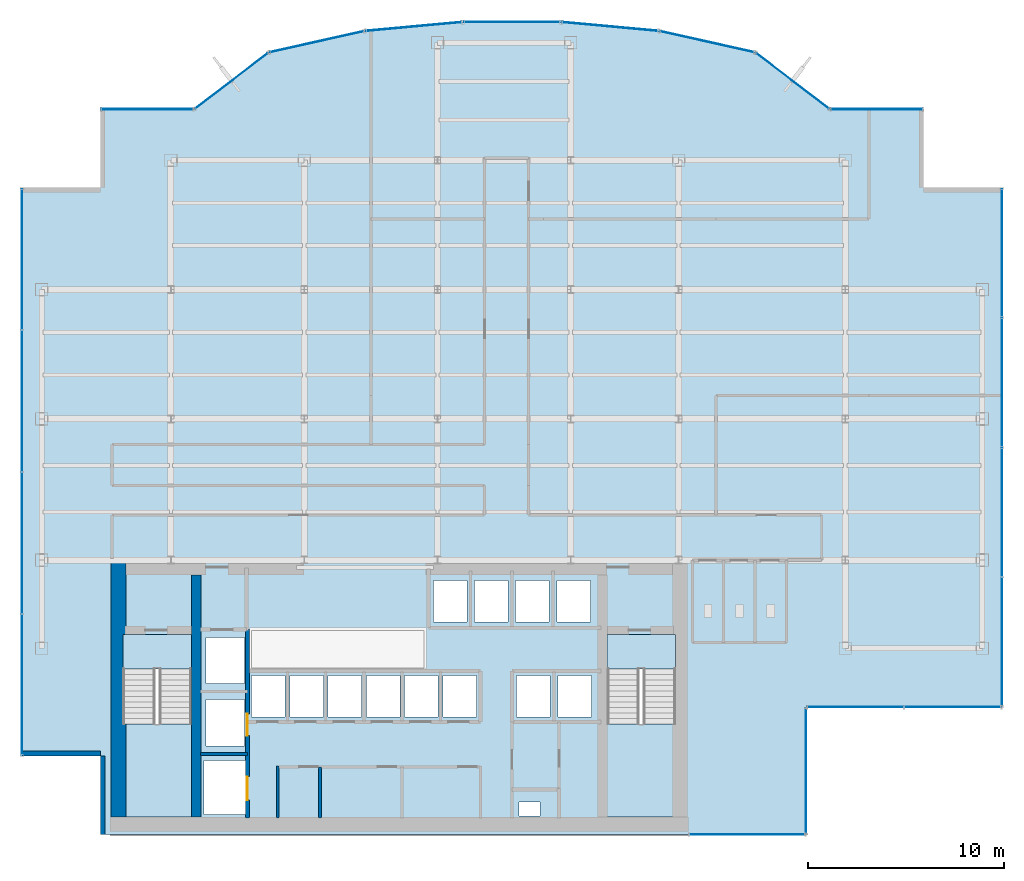
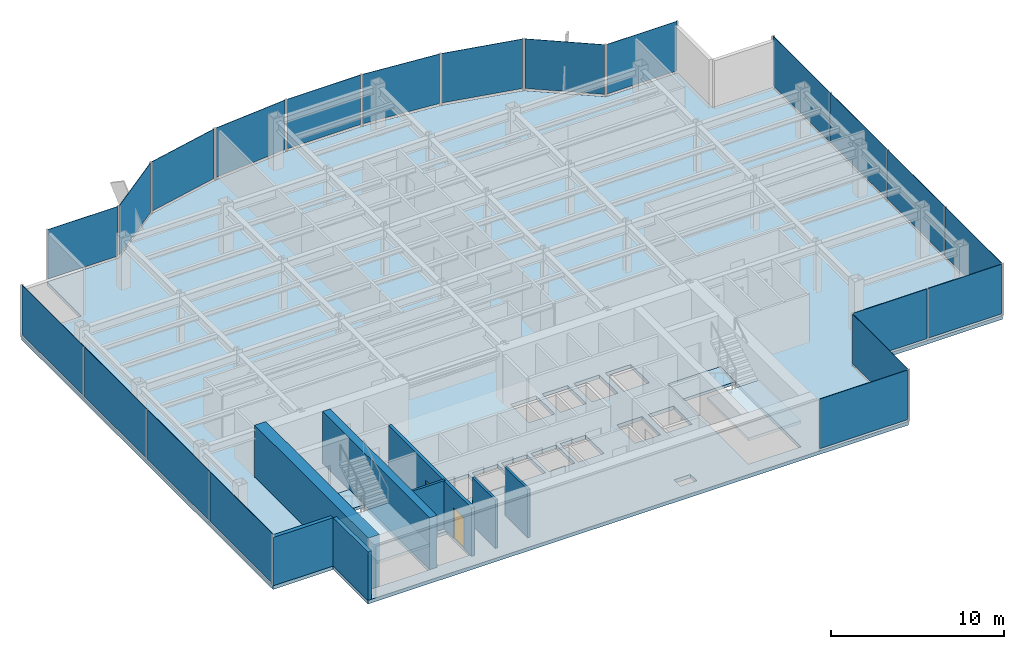
# One storey, part 19 of 25: 21 plates, 8 walls, 5 slabs, 2 doors, 2 openings, 16 elements without a shape of their own.
"""IFC4 building model written with IfcOpenShell, lengths in metres."""

from ifc_helpers import new_model, si_unit, derived_unit, direction, frame, frame_2d, origin, origin_2d, place, context, subcontext, project, spatial, polyline, rectangle, outline, extrude, source, transform, mapped, material, layer, layer_set, type_object, element, fill, aggregate, save


model = new_model("IFC4")

# Units and contexts
model_context = context("Model", 3, precision=1e-05, world=origin(), true_north=direction((0.0, 1.0)))
body_context = subcontext(model_context, "Body", "Model", "MODEL_VIEW")
ifc_project = project(units=[si_unit("LENGTHUNIT", "METRE"), si_unit("AREAUNIT", "SQUARE_METRE"), si_unit("VOLUMEUNIT", "CUBIC_METRE"), si_unit("PLANEANGLEUNIT", "RADIAN"), si_unit("MASSUNIT", "GRAM", prefix="KILO"), derived_unit("THERMALTRANSMITTANCEUNIT", [(si_unit("POWERUNIT", "WATT"), 1), (si_unit("LENGTHUNIT", "METRE"), -2), (si_unit("THERMODYNAMICTEMPERATUREUNIT", "KELVIN"), -1)])], contexts=[model_context])

# Site, building, storey
site_placement = place(None, origin())
site = spatial("IfcSite", under=ifc_project, at=site_placement, CompositionType="ELEMENT")
building_placement = place(site_placement, origin())
building = spatial("IfcBuilding", under=site, at=building_placement, Name="Skarnbrae Concourse Arena and Tower", CompositionType="ELEMENT")
storey_placement = place(building_placement, frame((0.0, 0.0, 162.5)))
storey = spatial("IfcBuildingStorey", under=building, at=storey_placement, Name="L41", CompositionType="ELEMENT", Elevation=162.5)

# Stair, slab
ifc_material_1 = material(Name="Concrete 40 MPa (C40/50)", Category="concrete")
stair_type = type_object("IfcStairType", Name="STAIR-DOGLEG-1650", PredefinedType="HALF_TURN_STAIR", material=ifc_material_1)
stair_1_placement = place(storey_placement, origin())
stair_1 = element("IfcStair", 1, at=stair_1_placement, inside=storey, type_object=stair_type, Name="L41 Protected Exit Stair ST-1", PredefinedType="HALF_TURN_STAIR")
ifc_layer_1 = layer(ifc_material_1, 0.199951171875)
ifc_layer_set_1 = layer_set([ifc_layer_1], Name="Concrete 40 MPa (C40/50)")
slab_type_1 = type_object("IfcSlabType", Name="SLAB-LANDING-200", PredefinedType="LANDING", material=ifc_layer_set_1)
slab_1_placement = place(storey_placement, frame((0.0, 0.0, 1.625)))
slab_1 = element("IfcSlab", 2, at=slab_1_placement, type_object=slab_type_1, Name="ST-1 landing 1", PredefinedType="LANDING", context=body_context, shape_type="SweptSolid", body=[
    extrude(outline(polyline([(5.14990234375, 5.64990234375), (5.14990234375, 0.89990234375), (8.64990234375, 0.89990234375), (8.64990234375, 5.64990234375), (5.14990234375, 5.64990234375)])), origin(), (0.0, 0.0, 1.0), 0.199951171875),
])
aggregate(stair_1, [slab_1])

stair_2_placement = place(storey_placement, origin())
stair_2 = element("IfcStair", 3, at=stair_2_placement, inside=storey, type_object=stair_type, Name="L41 Protected Exit Stair ST-2", PredefinedType="HALF_TURN_STAIR")
slab_2_placement = place(storey_placement, frame((0.0, 0.0, 1.625)))
slab_2 = element("IfcSlab", 4, at=slab_2_placement, type_object=slab_type_1, Name="ST-2 landing 1", PredefinedType="LANDING", context=body_context, shape_type="SweptSolid", body=[
    extrude(outline(polyline([(29.85009765625, 5.64990234375), (29.85009765625, 0.89990234375), (33.35009765625, 0.89990234375), (33.35009765625, 5.64990234375), (29.85009765625, 5.64990234375)])), origin(), (0.0, 0.0, 1.0), 0.199951171875),
])
aggregate(stair_2, [slab_2])

# Slabs
slab_3_placement = place(storey_placement, frame((0.0, 0.0, -0.199951171875)))
element("IfcSlab", 5, at=slab_3_placement, inside=storey, type_object=slab_type_1, Name="L41 Core stair ST1 floor landing", PredefinedType="LANDING", context=body_context, shape_type="SweptSolid", body=[
    extrude(outline(polyline([(5.14990234375, 10.199951171875), (5.14990234375, 8.449951171875), (8.64990234375, 8.449951171875), (8.64990234375, 10.199951171875), (5.14990234375, 10.199951171875)])), origin(), (0.0, 0.0, 1.0), 0.199951171875),
])
slab_4_placement = place(storey_placement, frame((0.0, 0.0, -0.199951171875)))
element("IfcSlab", 6, at=slab_4_placement, inside=storey, type_object=slab_type_1, Name="L41 Core stair ST2 floor landing", PredefinedType="LANDING", context=body_context, shape_type="SweptSolid", body=[
    extrude(outline(polyline([(29.85009765625, 10.199951171875), (29.85009765625, 8.449951171875), (33.35009765625, 8.449951171875), (33.35009765625, 10.199951171875), (29.85009765625, 10.199951171875)])), origin(), (0.0, 0.0, 1.0), 0.199951171875),
])
ifc_layer_2 = layer(ifc_material_1, 0.25)
ifc_layer_set_2 = layer_set([ifc_layer_2], Name="Concrete 40 MPa (C40/50)")
slab_type_2 = type_object("IfcSlabType", Name="SLAB-TOWER-250", PredefinedType="FLOOR", material=ifc_layer_set_2)
slab_5_placement = place(storey_placement, frame((0.0, 0.0, -0.25)))
element("IfcSlab", 7, at=slab_5_placement, inside=storey, type_object=slab_type_2, Name="L41 Structural floor slab", PredefinedType="FLOOR", context=body_context, shape_type="SweptSolid", body=[
    extrude(outline(polyline([(4.0, 0.0), (40.0, 0.0), (40.0, 6.5), (50.0, 6.5), (50.0, 33.0), (46.0, 33.0), (46.0, 37.0), (41.199951171875, 37.0), (37.409423828125, 39.892578125), (32.51220703125, 40.98681640625), (27.51123046875, 41.445556640625), (22.48876953125, 41.445556640625), (17.48779296875, 40.98681640625), (12.590576171875, 39.892578125), (8.800048828125, 37.0), (4.0, 37.0), (4.0, 33.0), (0.0, 33.0), (0.0, 4.0), (4.0, 4.0), (4.0, 0.0)]), holes=[polyline([(9.294921875, 3.780029296875), (11.455078125, 3.780029296875), (11.455078125, 1.02001953125), (9.294921875, 1.02001953125), (9.294921875, 3.780029296875)]), polyline([(8.64990234375, 10.199951171875), (8.64990234375, 0.89990234375), (5.14990234375, 0.89990234375), (5.14990234375, 10.199951171875), (8.64990234375, 10.199951171875)]), polyline([(9.39501953125, 6.8798828125), (11.35498046875, 6.8798828125), (11.35498046875, 4.52001953125), (9.39501953125, 4.52001953125), (9.39501953125, 6.8798828125)]), polyline([(11.719970703125, 8.10498046875), (13.429931640625, 8.10498046875), (13.429931640625, 5.9951171875), (11.719970703125, 5.9951171875), (11.719970703125, 8.10498046875)]), polyline([(13.669921875, 8.10498046875), (15.3798828125, 8.10498046875), (15.3798828125, 5.9951171875), (13.669921875, 5.9951171875), (13.669921875, 8.10498046875)]), polyline([(15.6201171875, 8.10498046875), (17.330078125, 8.10498046875), (17.330078125, 5.9951171875), (15.6201171875, 5.9951171875), (15.6201171875, 8.10498046875)]), polyline([(17.570068359375, 8.10498046875), (19.280029296875, 8.10498046875), (19.280029296875, 5.9951171875), (17.570068359375, 5.9951171875), (17.570068359375, 8.10498046875)]), polyline([(21.22998046875, 8.10498046875), (21.22998046875, 5.9951171875), (19.52001953125, 5.9951171875), (19.52001953125, 8.10498046875), (21.22998046875, 8.10498046875)]), polyline([(11.35498046875, 10.054931640625), (11.35498046875, 7.695068359375), (9.39501953125, 7.695068359375), (9.39501953125, 10.054931640625), (11.35498046875, 10.054931640625)]), polyline([(25.35009765625, 1.669921875), (26.43994140625, 1.669921875), (26.43994140625, 0.949951171875), (25.35009765625, 0.949951171875), (25.35009765625, 1.669921875)]), polyline([(33.35009765625, 10.199951171875), (33.35009765625, 0.89990234375), (29.85009765625, 0.89990234375), (29.85009765625, 10.199951171875), (33.35009765625, 10.199951171875)]), polyline([(21.469970703125, 8.10498046875), (23.179931640625, 8.10498046875), (23.179931640625, 5.9951171875), (21.469970703125, 5.9951171875), (21.469970703125, 8.10498046875)]), polyline([(25.235107421875, 8.10498046875), (26.945068359375, 8.10498046875), (26.945068359375, 5.9951171875), (25.235107421875, 5.9951171875), (25.235107421875, 8.10498046875)]), polyline([(27.3349609375, 8.10498046875), (29.044921875, 8.10498046875), (29.044921875, 5.9951171875), (27.3349609375, 5.9951171875), (27.3349609375, 8.10498046875)]), polyline([(20.985107421875, 12.955078125), (22.695068359375, 12.955078125), (22.695068359375, 10.844970703125), (20.985107421875, 10.844970703125), (20.985107421875, 12.955078125)]), polyline([(23.0849609375, 12.955078125), (24.794921875, 12.955078125), (24.794921875, 10.844970703125), (23.0849609375, 10.844970703125), (23.0849609375, 12.955078125)]), polyline([(26.89501953125, 12.955078125), (26.89501953125, 10.844970703125), (25.18505859375, 10.844970703125), (25.18505859375, 12.955078125), (26.89501953125, 12.955078125)]), polyline([(28.9951171875, 12.955078125), (28.9951171875, 10.844970703125), (27.284912109375, 10.844970703125), (27.284912109375, 12.955078125), (28.9951171875, 12.955078125)])]), origin(), (0.0, 0.0, 1.0), 0.25),
])

# Curtain wall, plates
ifc_material_2 = material(Name="Bronze anodised aluminium 6063-T6", Category="aluminium")
curtain_wall_type_1 = type_object("IfcCurtainWallType", Name="CW-SYS-04-MIDZONE", PredefinedType="USERDEFINED", material=ifc_material_2)
curtain_wall_1_placement = place(storey_placement, origin())
curtain_wall_1 = element("IfcCurtainWall", 8, at=curtain_wall_1_placement, inside=storey, type_object=curtain_wall_type_1, Name="L41 Unitised curtain wall CW-L41-E03", ObjectType="UNITISED CURTAIN WALL", PredefinedType="USERDEFINED")
ifc_material_3 = material(Name="Low-E triple insulating glass", Category="glass")
ifc_layer_3 = layer(ifc_material_3, 0.031982421875)
ifc_layer_set_3 = layer_set([ifc_layer_3], Name="Low-E triple insulating glass")
plate_type_1 = type_object("IfcPlateType", Name="CWP-CW-04", PredefinedType="CURTAIN_PANEL", material=ifc_layer_set_3)
shared_shape_1 = source(origin(), body_context, "Body", "SweptSolid", [
    extrude(rectangle(XDim=4.887451171875, YDim=0.031982421875, at=origin_2d()), origin(), (0.0, 0.0, 1.0), 3.489990234375),
])
plate_1_placement = place(storey_placement, frame((42.518798828125, 6.5, 0.16015625), z_axis=(0.0, 0.0, 1.0), x_axis=(1.0, 0.0, 0.0)))
plate_1 = element("IfcPlate", 9, at=plate_1_placement, type_object=plate_type_1, Name="CW-L41-E03 Low-E Glazing Panel 1", PredefinedType="CURTAIN_PANEL", context=body_context, shape_type="MappedRepresentation", body=[
    mapped(shared_shape_1, transform((0.0, 0.0, 0.0))),
])
plate_2_placement = place(storey_placement, frame((47.481201171875, 6.5, 0.16015625), z_axis=(0.0, 0.0, 1.0), x_axis=(1.0, 0.0, 0.0)))
plate_2 = element("IfcPlate", 10, at=plate_2_placement, type_object=plate_type_1, Name="CW-L41-E03 Low-E Glazing Panel 2", PredefinedType="CURTAIN_PANEL", context=body_context, shape_type="MappedRepresentation", body=[
    mapped(shared_shape_1, transform((0.0, 0.0, 0.0))),
])
aggregate(curtain_wall_1, [plate_1, plate_2])

# Curtain wall, plate
curtain_wall_2_placement = place(storey_placement, origin())
curtain_wall_2 = element("IfcCurtainWall", 11, at=curtain_wall_2_placement, inside=storey, type_object=curtain_wall_type_1, Name="L41 Unitised curtain wall CW-L41-SE-SPINE", ObjectType="UNITISED CURTAIN WALL", PredefinedType="USERDEFINED")
shared_shape_2 = source(origin(), body_context, "Body", "SweptSolid", [
    extrude(rectangle(XDim=5.85009765625, YDim=0.031982421875, at=origin_2d()), origin(), (0.0, 0.0, 1.0), 3.489990234375),
])
plate_3_placement = place(storey_placement, frame((37.0, 0.0, 0.16015625), z_axis=(0.0, 0.0, 1.0), x_axis=(1.0, 0.0, 0.0)))
plate_3 = element("IfcPlate", 12, at=plate_3_placement, type_object=plate_type_1, Name="CW-L41-SE-SPINE Low-E Glazing Panel 1", PredefinedType="CURTAIN_PANEL", context=body_context, shape_type="MappedRepresentation", body=[
    mapped(shared_shape_2, transform((0.0, 0.0, 0.0))),
])
aggregate(curtain_wall_2, [plate_3])

curtain_wall_3_placement = place(storey_placement, origin())
curtain_wall_3 = element("IfcCurtainWall", 13, at=curtain_wall_3_placement, inside=storey, type_object=curtain_wall_type_1, Name="L41 Unitised curtain wall CW-L41-E02", ObjectType="UNITISED CURTAIN WALL", PredefinedType="USERDEFINED")
shared_shape_3 = source(origin(), body_context, "Body", "SweptSolid", [
    extrude(rectangle(XDim=6.35009765625, YDim=0.031982421875, at=origin_2d()), origin(), (0.0, 0.0, 1.0), 3.489990234375),
])
plate_4_placement = place(storey_placement, frame((40.0, 3.25, 0.16015625), z_axis=(0.0, 0.0, 1.0), x_axis=(0.0, 1.0, 0.0)))
plate_4 = element("IfcPlate", 14, at=plate_4_placement, type_object=plate_type_1, Name="CW-L41-E02 Low-E Glazing Panel 1", PredefinedType="CURTAIN_PANEL", context=body_context, shape_type="MappedRepresentation", body=[
    mapped(shared_shape_3, transform((0.0, 0.0, 0.0))),
])
aggregate(curtain_wall_3, [plate_4])

curtain_wall_4_placement = place(storey_placement, origin())
curtain_wall_4 = element("IfcCurtainWall", 15, at=curtain_wall_4_placement, inside=storey, type_object=curtain_wall_type_1, Name="L41 Unitised curtain wall CW-L41-E07", ObjectType="UNITISED CURTAIN WALL", PredefinedType="USERDEFINED")
shared_shape_4 = source(origin(), body_context, "Body", "SweptSolid", [
    extrude(rectangle(XDim=4.64990234375, YDim=0.031982421875, at=origin_2d()), origin(), (0.0, 0.0, 1.0), 3.489990234375),
])
plate_5_placement = place(storey_placement, frame((43.60009765625, 37.0, 0.16015625), z_axis=(0.0, 0.0, 1.0), x_axis=(-1.0, 0.0, 0.0)))
plate_5 = element("IfcPlate", 16, at=plate_5_placement, type_object=plate_type_1, Name="CW-L41-E07 Low-E Glazing Panel 1", PredefinedType="CURTAIN_PANEL", context=body_context, shape_type="MappedRepresentation", body=[
    mapped(shared_shape_4, transform((0.0, 0.0, 0.0))),
])
aggregate(curtain_wall_4, [plate_5])

curtain_wall_5_placement = place(storey_placement, origin())
curtain_wall_5 = element("IfcCurtainWall", 17, at=curtain_wall_5_placement, inside=storey, type_object=curtain_wall_type_1, Name="L41 Unitised curtain wall CW-L41-E15", ObjectType="UNITISED CURTAIN WALL", PredefinedType="USERDEFINED")
plate_6_placement = place(storey_placement, frame((6.39990234375, 37.0, 0.16015625), z_axis=(0.0, 0.0, 1.0), x_axis=(-1.0, 0.0, 0.0)))
plate_6 = element("IfcPlate", 18, at=plate_6_placement, type_object=plate_type_1, Name="CW-L41-E15 Low-E Glazing Panel 1", PredefinedType="CURTAIN_PANEL", context=body_context, shape_type="MappedRepresentation", body=[
    mapped(shared_shape_4, transform((0.0, 0.0, 0.0))),
])
aggregate(curtain_wall_5, [plate_6])

curtain_wall_6_placement = place(storey_placement, origin())
curtain_wall_6 = element("IfcCurtainWall", 19, at=curtain_wall_6_placement, inside=storey, type_object=curtain_wall_type_1, Name="L41 Unitised curtain wall CW-L41-E08", ObjectType="UNITISED CURTAIN WALL", PredefinedType="USERDEFINED")
shared_shape_5 = source(origin(), body_context, "Body", "SweptSolid", [
    extrude(rectangle(XDim=4.6181640625, YDim=0.031982421875, at=origin_2d()), origin(), (0.0, 0.0, 1.0), 3.489990234375),
])
plate_7_placement = place(storey_placement, frame((39.3046875, 38.4462890625, 0.16015625), z_axis=(0.0, 0.0, 1.0), x_axis=(-0.794956000706, 0.606667089054, 0.0)))
plate_7 = element("IfcPlate", 20, at=plate_7_placement, type_object=plate_type_1, Name="CW-L41-E08 Low-E Glazing Panel 1", PredefinedType="CURTAIN_PANEL", context=body_context, shape_type="MappedRepresentation", body=[
    mapped(shared_shape_5, transform((0.0, 0.0, 0.0))),
])
aggregate(curtain_wall_6, [plate_7])

curtain_wall_7_placement = place(storey_placement, origin())
curtain_wall_7 = element("IfcCurtainWall", 21, at=curtain_wall_7_placement, inside=storey, type_object=curtain_wall_type_1, Name="L41 Unitised curtain wall CW-L41-E14", ObjectType="UNITISED CURTAIN WALL", PredefinedType="USERDEFINED")
plate_8_placement = place(storey_placement, frame((10.6953125, 38.4462890625, 0.16015625), z_axis=(0.0, 0.0, 1.0), x_axis=(-0.794956000706, -0.606667089054, 0.0)))
plate_8 = element("IfcPlate", 22, at=plate_8_placement, type_object=plate_type_1, Name="CW-L41-E14 Low-E Glazing Panel 1", PredefinedType="CURTAIN_PANEL", context=body_context, shape_type="MappedRepresentation", body=[
    mapped(shared_shape_5, transform((0.0, 0.0, 0.0))),
])
aggregate(curtain_wall_7, [plate_8])

# Curtain wall, plates
curtain_wall_8_placement = place(storey_placement, origin())
curtain_wall_8 = element("IfcCurtainWall", 23, at=curtain_wall_8_placement, inside=storey, type_object=curtain_wall_type_1, Name="L41 Unitised curtain wall CW-L41-E18", ObjectType="UNITISED CURTAIN WALL", PredefinedType="USERDEFINED")
shared_shape_6 = source(origin(), body_context, "Body", "SweptSolid", [
    extrude(rectangle(XDim=7.137451171875, YDim=0.031982421875, at=origin_2d()), origin(), (0.0, 0.0, 1.0), 3.489990234375),
])
plate_9_placement = place(storey_placement, frame((0.0, 29.356201171875, 0.16015625), z_axis=(0.0, 0.0, 1.0), x_axis=(0.0, -1.0, 0.0)))
plate_9 = element("IfcPlate", 24, at=plate_9_placement, type_object=plate_type_1, Name="CW-L41-E18 Low-E Glazing Panel 1", PredefinedType="CURTAIN_PANEL", context=body_context, shape_type="MappedRepresentation", body=[
    mapped(shared_shape_6, transform((0.0, 0.0, 0.0))),
])
plate_10_placement = place(storey_placement, frame((0.0, 7.643798828125, 0.16015625), z_axis=(0.0, 0.0, 1.0), x_axis=(0.0, -1.0, 0.0)))
plate_10 = element("IfcPlate", 25, at=plate_10_placement, type_object=plate_type_1, Name="CW-L41-E18 Low-E Glazing Panel 4", PredefinedType="CURTAIN_PANEL", context=body_context, shape_type="MappedRepresentation", body=[
    mapped(shared_shape_6, transform((0.0, 0.0, 0.0))),
])
shared_shape_7 = source(origin(), body_context, "Body", "SweptSolid", [
    extrude(rectangle(XDim=7.175048828125, YDim=0.031982421875, at=origin_2d()), origin(), (0.0, 0.0, 1.0), 3.489990234375),
])
plate_11_placement = place(storey_placement, frame((0.0, 22.125, 0.16015625), z_axis=(0.0, 0.0, 1.0), x_axis=(0.0, -1.0, 0.0)))
plate_11 = element("IfcPlate", 26, at=plate_11_placement, type_object=plate_type_1, Name="CW-L41-E18 Low-E Glazing Panel 2", PredefinedType="CURTAIN_PANEL", context=body_context, shape_type="MappedRepresentation", body=[
    mapped(shared_shape_7, transform((0.0, 0.0, 0.0))),
])
plate_12_placement = place(storey_placement, frame((0.0, 14.875, 0.16015625), z_axis=(0.0, 0.0, 1.0), x_axis=(0.0, -1.0, 0.0)))
plate_12 = element("IfcPlate", 27, at=plate_12_placement, type_object=plate_type_1, Name="CW-L41-E18 Low-E Glazing Panel 3", PredefinedType="CURTAIN_PANEL", context=body_context, shape_type="MappedRepresentation", body=[
    mapped(shared_shape_7, transform((0.0, 0.0, 0.0))),
])
aggregate(curtain_wall_8, [plate_9, plate_11, plate_12, plate_10])

curtain_wall_9_placement = place(storey_placement, origin())
curtain_wall_9 = element("IfcCurtainWall", 28, at=curtain_wall_9_placement, inside=storey, type_object=curtain_wall_type_1, Name="L41 Unitised curtain wall CW-L41-E04", ObjectType="UNITISED CURTAIN WALL", PredefinedType="USERDEFINED")
shared_shape_8 = source(origin(), body_context, "Body", "SweptSolid", [
    extrude(rectangle(XDim=6.512451171875, YDim=0.031982421875, at=origin_2d()), origin(), (0.0, 0.0, 1.0), 3.489990234375),
])
plate_13_placement = place(storey_placement, frame((50.0, 9.831298828125, 0.16015625), z_axis=(0.0, 0.0, 1.0), x_axis=(0.0, 1.0, 0.0)))
plate_13 = element("IfcPlate", 29, at=plate_13_placement, type_object=plate_type_1, Name="CW-L41-E04 Low-E Glazing Panel 1", PredefinedType="CURTAIN_PANEL", context=body_context, shape_type="MappedRepresentation", body=[
    mapped(shared_shape_8, transform((0.0, 0.0, 0.0))),
])
plate_14_placement = place(storey_placement, frame((50.0, 29.668701171875, 0.16015625), z_axis=(0.0, 0.0, 1.0), x_axis=(0.0, 1.0, 0.0)))
plate_14 = element("IfcPlate", 30, at=plate_14_placement, type_object=plate_type_1, Name="CW-L41-E04 Low-E Glazing Panel 4", PredefinedType="CURTAIN_PANEL", context=body_context, shape_type="MappedRepresentation", body=[
    mapped(shared_shape_8, transform((0.0, 0.0, 0.0))),
])
shared_shape_9 = source(origin(), body_context, "Body", "SweptSolid", [
    extrude(rectangle(XDim=6.550048828125, YDim=0.031982421875, at=origin_2d()), origin(), (0.0, 0.0, 1.0), 3.489990234375),
])
plate_15_placement = place(storey_placement, frame((50.0, 16.4375, 0.16015625), z_axis=(0.0, 0.0, 1.0), x_axis=(0.0, 1.0, 0.0)))
plate_15 = element("IfcPlate", 31, at=plate_15_placement, type_object=plate_type_1, Name="CW-L41-E04 Low-E Glazing Panel 2", PredefinedType="CURTAIN_PANEL", context=body_context, shape_type="MappedRepresentation", body=[
    mapped(shared_shape_9, transform((0.0, 0.0, 0.0))),
])
plate_16_placement = place(storey_placement, frame((50.0, 23.0625, 0.16015625), z_axis=(0.0, 0.0, 1.0), x_axis=(0.0, 1.0, 0.0)))
plate_16 = element("IfcPlate", 32, at=plate_16_placement, type_object=plate_type_1, Name="CW-L41-E04 Low-E Glazing Panel 3", PredefinedType="CURTAIN_PANEL", context=body_context, shape_type="MappedRepresentation", body=[
    mapped(shared_shape_9, transform((0.0, 0.0, 0.0))),
])
aggregate(curtain_wall_9, [plate_13, plate_15, plate_16, plate_14])

# Curtain wall, plate
curtain_wall_type_2 = type_object("IfcCurtainWallType", Name="CW-SYS-03-PORTAL", PredefinedType="USERDEFINED", material=ifc_material_2)
curtain_wall_10_placement = place(storey_placement, origin())
curtain_wall_10 = element("IfcCurtainWall", 33, at=curtain_wall_10_placement, inside=storey, type_object=curtain_wall_type_2, Name="L41 Unitised curtain wall CW-L41-E09", ObjectType="UNITISED CURTAIN WALL", PredefinedType="USERDEFINED")
ifc_layer_4 = layer(ifc_material_3, 0.033935546875)
ifc_layer_set_4 = layer_set([ifc_layer_4], Name="Low-E triple insulating glass")
plate_type_2 = type_object("IfcPlateType", Name="CWP-CW-03", PredefinedType="CURTAIN_PANEL", material=ifc_layer_set_4)
shared_shape_10 = source(origin(), body_context, "Body", "SweptSolid", [
    extrude(rectangle(XDim=4.85791015625, YDim=0.033935546875, at=origin_2d()), origin(), (0.0, 0.0, 1.0), 3.47998046875),
])
plate_17_placement = place(storey_placement, frame((34.9609375, 40.439697265625, 0.169921875), z_axis=(0.0, 0.0, 1.0), x_axis=(-0.975936175393, 0.218056372433, 0.0)))
plate_17 = element("IfcPlate", 34, at=plate_17_placement, type_object=plate_type_2, Name="CW-L41-E09 Low-E Glazing Panel 1", PredefinedType="CURTAIN_PANEL", context=body_context, shape_type="MappedRepresentation", body=[
    mapped(shared_shape_10, transform((0.0, 0.0, 0.0))),
])
aggregate(curtain_wall_10, [plate_17])

curtain_wall_11_placement = place(storey_placement, origin())
curtain_wall_11 = element("IfcCurtainWall", 35, at=curtain_wall_11_placement, inside=storey, type_object=curtain_wall_type_2, Name="L41 Unitised curtain wall CW-L41-E13", ObjectType="UNITISED CURTAIN WALL", PredefinedType="USERDEFINED")
plate_18_placement = place(storey_placement, frame((15.0390625, 40.439697265625, 0.169921875), z_axis=(0.0, 0.0, 1.0), x_axis=(-0.975936175393, -0.218056372433, 0.0)))
plate_18 = element("IfcPlate", 36, at=plate_18_placement, type_object=plate_type_2, Name="CW-L41-E13 Low-E Glazing Panel 1", PredefinedType="CURTAIN_PANEL", context=body_context, shape_type="MappedRepresentation", body=[
    mapped(shared_shape_10, transform((0.0, 0.0, 0.0))),
])
aggregate(curtain_wall_11, [plate_18])

curtain_wall_12_placement = place(storey_placement, origin())
curtain_wall_12 = element("IfcCurtainWall", 37, at=curtain_wall_12_placement, inside=storey, type_object=curtain_wall_type_2, Name="L41 Unitised curtain wall CW-L41-E10", ObjectType="UNITISED CURTAIN WALL", PredefinedType="USERDEFINED")
shared_shape_11 = source(origin(), body_context, "Body", "SweptSolid", [
    extrude(rectangle(XDim=4.862060546875, YDim=0.033935546875, at=origin_2d()), origin(), (0.0, 0.0, 1.0), 3.47998046875),
])
plate_19_placement = place(storey_placement, frame((30.01171875, 41.21630859375, 0.169921875), z_axis=(0.0, 0.0, 1.0), x_axis=(-0.995819926016, 0.091338244731, 0.0)))
plate_19 = element("IfcPlate", 38, at=plate_19_placement, type_object=plate_type_2, Name="CW-L41-E10 Low-E Glazing Panel 1", PredefinedType="CURTAIN_PANEL", context=body_context, shape_type="MappedRepresentation", body=[
    mapped(shared_shape_11, transform((0.0, 0.0, 0.0))),
])
aggregate(curtain_wall_12, [plate_19])

curtain_wall_13_placement = place(storey_placement, origin())
curtain_wall_13 = element("IfcCurtainWall", 39, at=curtain_wall_13_placement, inside=storey, type_object=curtain_wall_type_2, Name="L41 Unitised curtain wall CW-L41-E12", ObjectType="UNITISED CURTAIN WALL", PredefinedType="USERDEFINED")
plate_20_placement = place(storey_placement, frame((19.98828125, 41.21630859375, 0.169921875), z_axis=(0.0, 0.0, 1.0), x_axis=(-0.995819926016, -0.091338244731, 0.0)))
plate_20 = element("IfcPlate", 40, at=plate_20_placement, type_object=plate_type_2, Name="CW-L41-E12 Low-E Glazing Panel 1", PredefinedType="CURTAIN_PANEL", context=body_context, shape_type="MappedRepresentation", body=[
    mapped(shared_shape_11, transform((0.0, 0.0, 0.0))),
])
aggregate(curtain_wall_13, [plate_20])

curtain_wall_14_placement = place(storey_placement, origin())
curtain_wall_14 = element("IfcCurtainWall", 41, at=curtain_wall_14_placement, inside=storey, type_object=curtain_wall_type_2, Name="L41 Unitised curtain wall CW-L41-E11", ObjectType="UNITISED CURTAIN WALL", PredefinedType="USERDEFINED")
shared_shape_12 = source(origin(), body_context, "Body", "SweptSolid", [
    extrude(rectangle(XDim=4.862548828125, YDim=0.033935546875, at=origin_2d()), origin(), (0.0, 0.0, 1.0), 3.47998046875),
])
plate_21_placement = place(storey_placement, frame((25.0, 41.445556640625, 0.169921875), z_axis=(0.0, 0.0, 1.0), x_axis=(-1.0, 0.0, 0.0)))
plate_21 = element("IfcPlate", 42, at=plate_21_placement, type_object=plate_type_2, Name="CW-L41-E11 Low-E Glazing Panel 1", PredefinedType="CURTAIN_PANEL", context=body_context, shape_type="MappedRepresentation", body=[
    mapped(shared_shape_12, transform((0.0, 0.0, 0.0))),
])
aggregate(curtain_wall_14, [plate_21])

# Walls
ifc_material_4 = material(Name="Concrete 60 MPa (C60/75)", Category="concrete")
ifc_layer_5 = layer(ifc_material_4, 0.75)
ifc_layer_set_5 = layer_set([ifc_layer_5], Name="Concrete 60 MPa (C60/75)")
wall_type_1 = type_object("IfcWallType", Name="WALL-CORE-750-C60", PredefinedType="SHEAR", material=ifc_layer_set_5)
shared_shape_13 = source(origin(), body_context, "Body", "SweptSolid", [
    extrude(rectangle(XDim=13.10009765625, YDim=0.75, at=frame_2d((6.550048828125, 0.0))), origin(), (0.0, 0.0, 1.0), 3.64990234375),
])
wall_1_placement = place(storey_placement, frame((4.925048828125, 0.89990234375, 0.0), z_axis=(0.0, 0.0, 1.0), x_axis=(0.0, 1.0, 0.0)))
element("IfcWall", 43, at=wall_1_placement, inside=storey, type_object=wall_type_1, Name="L41 Rear core shear wall CW-W", PredefinedType="SHEAR", context=body_context, shape_type="MappedRepresentation", body=[
    mapped(shared_shape_13, transform((0.0, 0.0, 0.0))),
])
ifc_layer_6 = layer(ifc_material_4, 0.5)
ifc_layer_set_6 = layer_set([ifc_layer_6], Name="Concrete 60 MPa (C60/75)")
wall_type_2 = type_object("IfcWallType", Name="WALL-CORE-500-C60", PredefinedType="SHEAR", material=ifc_layer_set_6)
shared_shape_14 = source(origin(), body_context, "Body", "SweptSolid", [
    extrude(rectangle(XDim=12.35009765625, YDim=0.5, at=frame_2d((6.175048828125, 0.0))), origin(), (0.0, 0.0, 1.0), 3.64990234375),
])
wall_2_placement = place(storey_placement, frame((8.889892578125, 0.89990234375, 0.0), z_axis=(0.0, 0.0, 1.0), x_axis=(0.0, 1.0, 0.0)))
element("IfcWall", 44, at=wall_2_placement, inside=storey, type_object=wall_type_2, Name="L41 Rear core shear wall CW-WEB-W", PredefinedType="SHEAR", context=body_context, shape_type="MappedRepresentation", body=[
    mapped(shared_shape_14, transform((0.0, 0.0, 0.0))),
])
ifc_material_5 = material(Name="Precast concrete 40 MPa (C40/50)", Category="concrete")
ifc_layer_7 = layer(ifc_material_5, 0.25)
ifc_layer_set_7 = layer_set([ifc_layer_7], Name="Precast concrete 40 MPa (C40/50)")
wall_type_3 = type_object("IfcWallType", Name="WALL-EXT-SPANDREL-250", PredefinedType="STANDARD", material=ifc_layer_set_7)
shared_shape_15 = source(origin(), body_context, "Body", "SweptSolid", [
    extrude(rectangle(XDim=4.0, YDim=0.25, at=frame_2d((2.0, 0.0))), origin(), (0.0, 0.0, 1.0), 3.39990234375),
])
for number, where, z_axis, x_axis, name in (
    (45, (0.0, 4.125, 0.0), (0.0, 0.0, 1.0), (1.0, 0.0, 0.0), "L41 Notched corner insulated return wall 19"),
    (46, (4.125, 4.0, 0.0), (0.0, 0.0, 1.0), (0.0, -1.0, 0.0), "L41 Notched corner insulated return wall 20"),
):
    element("IfcWall", number, at=place(storey_placement, frame(where, z_axis=z_axis, x_axis=x_axis)), inside=storey, type_object=wall_type_3, Name=name, PredefinedType="STANDARD", context=body_context, shape_type="MappedRepresentation", body=[
        mapped(shared_shape_15, transform((0.0, 0.0, 0.0))),
    ])

# Wall, openings, doors
ifc_material_6 = material(Name="Gypsum board on cold-formed steel studs", Category="steel")
ifc_layer_8 = layer(ifc_material_6, 0.199951171875)
ifc_layer_set_8 = layer_set([ifc_layer_8], Name="Gypsum board on cold-formed steel studs")
wall_type_4 = type_object("IfcWallType", Name="WALL-PART-200-2HR", PredefinedType="PARTITIONING", material=ifc_layer_set_8)
shared_shape_16 = source(origin(), body_context, "Body", "SweptSolid", [
    extrude(rectangle(XDim=9.599853515625, YDim=0.199951171875, at=frame_2d((4.7998046875, 0.0))), origin(), (0.0, 0.0, 1.0), 3.39990234375),
])
wall_3_placement = place(storey_placement, frame((11.5, 0.85009765625, 0.0), z_axis=(0.0, 0.0, 1.0), x_axis=(0.0, 1.0, 0.0)))
wall_3 = element("IfcWall", 47, at=wall_3_placement, inside=storey, type_object=wall_type_4, Name="L41 Interior partition wall W-L41-FL-E", PredefinedType="PARTITIONING", context=body_context, shape_type="MappedRepresentation", body=[
    mapped(shared_shape_16, transform((0.0, 0.0, 0.0))),
])
opening_1_placement = place(wall_3_placement, frame((4.199951171875, 0.0, 0.0)))
opening_1 = element("IfcOpeningElement", 48, at=opening_1_placement, cuts=wall_3, Name="Opening LD-01", PredefinedType="OPENING", context=body_context, shape_type="SweptSolid", body=[
    extrude(rectangle(XDim=1.10009765625, YDim=2.14990234375, at=frame_2d((0.550048828125, 1.074951171875))), frame((0.0, 0.10986328125, 0.0), z_axis=(0.0, -1.0, 0.0), x_axis=(1.0, 0.0, 0.0)), (0.0, 0.0, 1.0), 0.219970703125),
])
opening_2_placement = place(wall_3_placement, frame((0.89990234375, 0.0, 0.0)))
opening_2 = element("IfcOpeningElement", 49, at=opening_2_placement, cuts=wall_3, Name="Opening LD-02", PredefinedType="OPENING", context=body_context, shape_type="SweptSolid", body=[
    extrude(rectangle(XDim=1.199951171875, YDim=2.14990234375, at=frame_2d((0.60009765625, 1.074951171875))), frame((0.0, 0.10986328125, 0.0), z_axis=(0.0, -1.0, 0.0), x_axis=(1.0, 0.0, 0.0)), (0.0, 0.0, 1.0), 0.219970703125),
])
ifc_material_7 = material(Name="Steel CSA G40.21 350W", Category="steel")
door_type_1 = type_object("IfcDoorType", Name="DOOR-LIFT-SLIDE-1100", OperationType="SLIDING_TO_LEFT", PredefinedType="DOOR", material=ifc_material_7)
shared_shape_17 = source(origin(), body_context, "Body", "SweptSolid", [
    extrude(rectangle(XDim=1.10009765625, YDim=2.14990234375, at=frame_2d((0.550048828125, 1.074951171875))), frame((0.0, 0.02490234375, 0.0), z_axis=(0.0, -1.0, 0.0), x_axis=(1.0, 0.0, 0.0)), (0.0, 0.0, 1.0), 0.050048828125),
])
door_1_placement = place(opening_1_placement, frame((1.10009765625, 0.0, 0.0), z_axis=(0.0, 0.0, 1.0), x_axis=(-1.0, 0.0, 0.0)))
door_1 = element("IfcDoor", 50, at=door_1_placement, inside=storey, type_object=door_type_1, Name="D-1272 Firefighting Lift Landing Door FL-02", OperationType="SLIDING_TO_LEFT", OverallHeight=2.14990234375, OverallWidth=1.10009765625, PredefinedType="DOOR", context=body_context, shape_type="MappedRepresentation", body=[
    mapped(shared_shape_17, transform((0.0, 0.0, 0.0))),
])
fill(opening_1, door_1)
door_type_2 = type_object("IfcDoorType", Name="DOOR-LIFT-SLIDE-1200", OperationType="SLIDING_TO_LEFT", PredefinedType="DOOR", material=ifc_material_7)
shared_shape_18 = source(origin(), body_context, "Body", "SweptSolid", [
    extrude(rectangle(XDim=1.199951171875, YDim=2.14990234375, at=frame_2d((0.60009765625, 1.074951171875))), frame((0.0, 0.02490234375, 0.0), z_axis=(0.0, -1.0, 0.0), x_axis=(1.0, 0.0, 0.0)), (0.0, 0.0, 1.0), 0.050048828125),
])
door_2_placement = place(opening_2_placement, frame((1.199951171875, 0.0, 0.0), z_axis=(0.0, 0.0, 1.0), x_axis=(-1.0, 0.0, 0.0)))
door_2 = element("IfcDoor", 51, at=door_2_placement, inside=storey, type_object=door_type_2, Name="D-1273 Service Lift Landing Door SV-01", OperationType="SLIDING_TO_LEFT", OverallHeight=2.14990234375, OverallWidth=1.199951171875, PredefinedType="DOOR", context=body_context, shape_type="MappedRepresentation", body=[
    mapped(shared_shape_18, transform((0.0, 0.0, 0.0))),
])
fill(opening_2, door_2)

# Walls
ifc_layer_9 = layer(ifc_material_6, 0.14990234375)
ifc_layer_set_9 = layer_set([ifc_layer_9], Name="Gypsum board on cold-formed steel studs")
wall_type_5 = type_object("IfcWallType", Name="WALL-PART-150", PredefinedType="PARTITIONING", material=ifc_layer_set_9)
shared_shape_19 = source(origin(), body_context, "Body", "SweptSolid", [
    extrude(rectangle(XDim=2.39990234375, YDim=0.14990234375, at=frame_2d((1.199951171875, 0.0))), origin(), (0.0, 0.0, 1.0), 3.39990234375),
])
wall_4_placement = place(storey_placement, frame((9.10009765625, 4.10009765625, 0.0), z_axis=(0.0, 0.0, 1.0), x_axis=(1.0, 0.0, 0.0)))
element("IfcWall", 52, at=wall_4_placement, inside=storey, type_object=wall_type_5, Name="L41 Interior partition wall W-L41-FL-D1", PredefinedType="PARTITIONING", context=body_context, shape_type="MappedRepresentation", body=[
    mapped(shared_shape_19, transform((0.0, 0.0, 0.0))),
])
shared_shape_20 = source(origin(), body_context, "Body", "SweptSolid", [
    extrude(rectangle(XDim=2.599853515625, YDim=0.14990234375, at=frame_2d((1.2998046875, 0.0))), origin(), (0.0, 0.0, 1.0), 3.39990234375),
])
wall_5_placement = place(storey_placement, frame((15.199951171875, 0.85009765625, 0.0), z_axis=(0.0, 0.0, 1.0), x_axis=(0.0, 1.0, 0.0)))
element("IfcWall", 53, at=wall_5_placement, inside=storey, type_object=wall_type_5, Name="L41 Interior partition wall W-L41-B1M-C1", PredefinedType="PARTITIONING", context=body_context, shape_type="MappedRepresentation", body=[
    mapped(shared_shape_20, transform((0.0, 0.0, 0.0))),
])
ifc_layer_10 = layer(ifc_material_6, 0.14990234375)
ifc_layer_set_10 = layer_set([ifc_layer_10], Name="Gypsum board on cold-formed steel studs")
wall_type_6 = type_object("IfcWallType", Name="WALL-PART-150-1HR", PredefinedType="PARTITIONING", material=ifc_layer_set_10)
shared_shape_21 = source(origin(), body_context, "Body", "SweptSolid", [
    extrude(rectangle(XDim=2.64990234375, YDim=0.14990234375, at=frame_2d((1.324951171875, 0.0))), origin(), (0.0, 0.0, 1.0), 3.39990234375),
])
wall_6_placement = place(storey_placement, frame((13.050048828125, 0.85009765625, 0.0), z_axis=(0.0, 0.0, 1.0), x_axis=(0.0, 1.0, 0.0)))
element("IfcWall", 54, at=wall_6_placement, inside=storey, type_object=wall_type_6, Name="L41 Interior partition wall W-L41-B1M-W", PredefinedType="PARTITIONING", context=body_context, shape_type="MappedRepresentation", body=[
    mapped(shared_shape_21, transform((0.0, 0.0, 0.0))),
])

save(model, "model.ifc")
